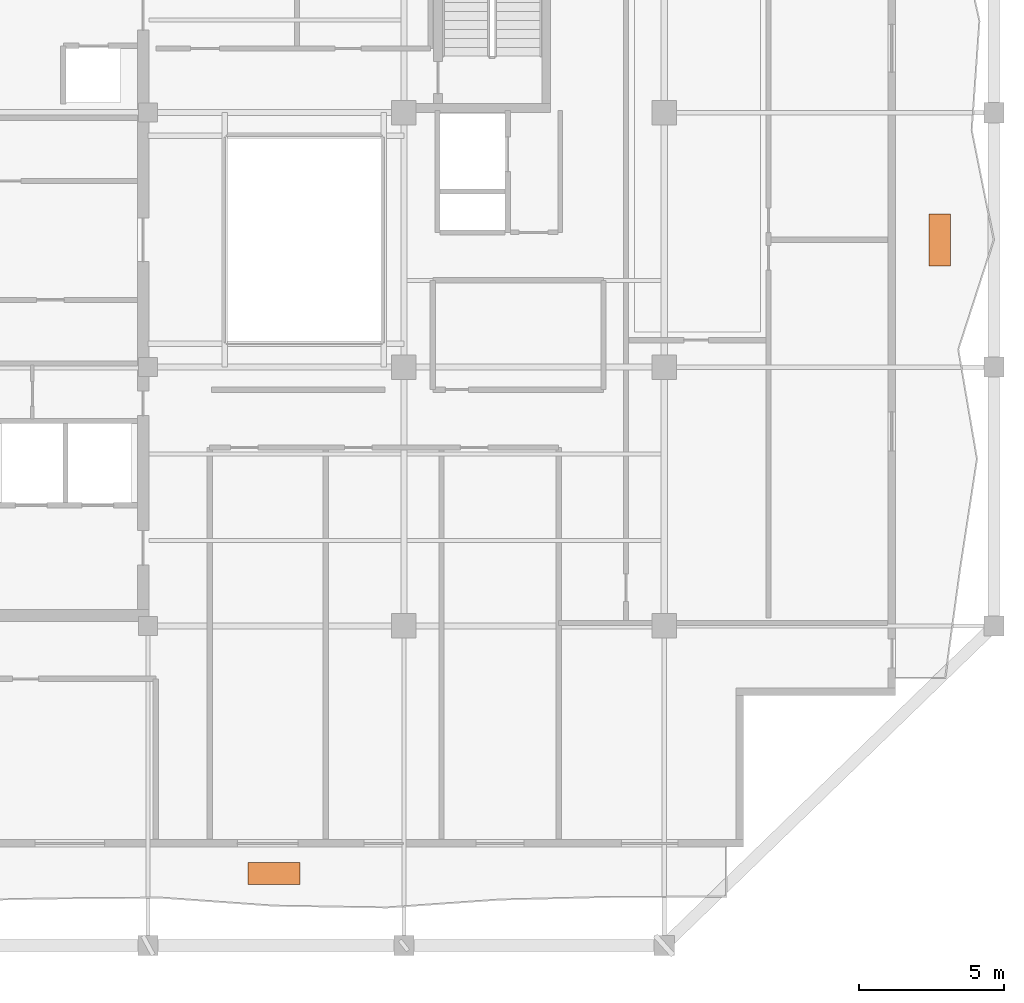
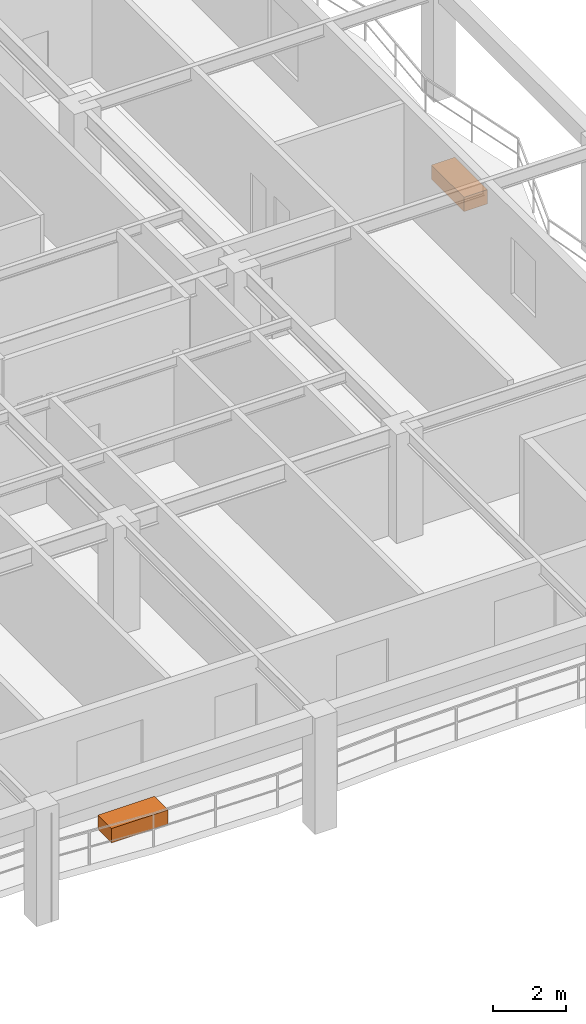
# One storey, part 11 of 11: 2 proxies.
"""IFC4 building model written with IfcOpenShell, lengths in metres."""

from ifc_helpers import new_model, si_unit, direction, frame, origin, origin_2d, place, context, subcontext, project, spatial, rectangle, extrude, material, type_object, element, save


model = new_model("IFC4")

# Units and contexts
model_context = context("Model", 3, precision=1e-05, world=origin(), true_north=direction((0.0, 1.0)))
body_context = subcontext(model_context, "Body", "Model", "MODEL_VIEW")
ifc_project = project(units=[si_unit("LENGTHUNIT", "METRE"), si_unit("AREAUNIT", "SQUARE_METRE"), si_unit("VOLUMEUNIT", "CUBIC_METRE"), si_unit("PLANEANGLEUNIT", "RADIAN"), si_unit("MASSUNIT", "GRAM", prefix="KILO")], contexts=[model_context])

# Site, building, storey
site_placement = place(None, origin())
site = spatial("IfcSite", under=ifc_project, at=site_placement, CompositionType="ELEMENT")
building_placement = place(site_placement, origin())
building = spatial("IfcBuilding", under=site, at=building_placement, Name="Kundavana Baori Tower", CompositionType="ELEMENT")
storey_placement = place(building_placement, frame((0.0, 0.0, 264.800048828125)))
storey = spatial("IfcBuildingStorey", under=building, at=storey_placement, Name="L65", CompositionType="ELEMENT", Elevation=264.800048828125)

# Proxies
ifc_material = material(Name="Red-Buff Dholpur Sandstone Cladding on Concrete C40/50", Category="masonry")
building_element_proxy_type = type_object("IfcBuildingElementProxyType", Name="PRX-PLANTER-1800", PredefinedType="USERDEFINED", material=ifc_material)
for number, where, z_axis, x_axis, name in (
    (1, (29.300048828125, 6.68701171875, 0.0), (0.0, 0.0, 1.0), (1.0, 0.0, 0.0), "L65 Dholpur Stone Structural Tree Planter S"),
    (2, (52.330078125, 28.60009765625, 0.0), (0.0, 0.0, 1.0), (0.0, 1.0, 0.0), "L65 Dholpur Stone Structural Tree Planter E"),
):
    element("IfcBuildingElementProxy", number, at=place(storey_placement, frame(where, z_axis=z_axis, x_axis=x_axis)), inside=storey, type_object=building_element_proxy_type, Name=name, ObjectType="PLANTER", PredefinedType="USERDEFINED", context=body_context, shape_type="SweptSolid", body=[
        extrude(rectangle(XDim=1.800048828125, YDim=0.75, at=origin_2d()), origin(), (0.0, 0.0, 1.0), 0.47998046875),
    ])

save(model, "model.ifc")
